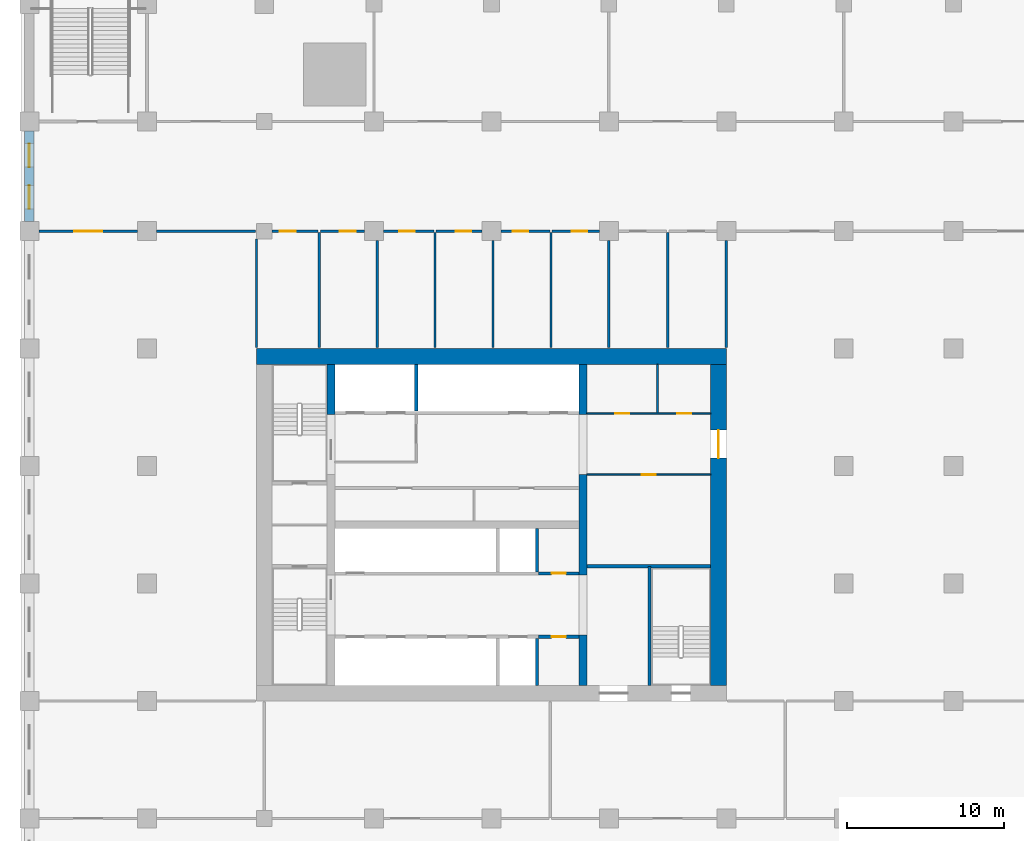
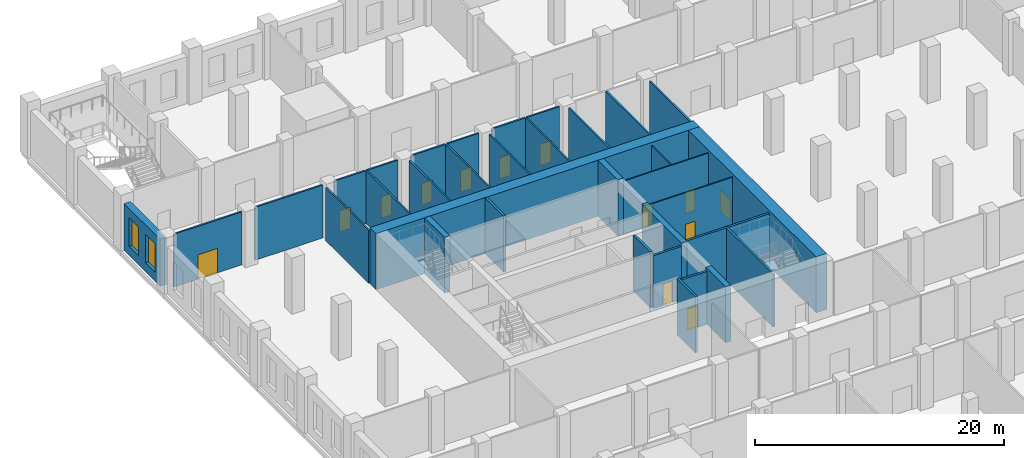
# One storey, part 9 of 35: 34 walls, 13 doors, 2 windows, 15 openings.
"""IFC4 building model written with IfcOpenShell, lengths in metres."""

from ifc_helpers import new_model, si_unit, direction, frame, frame_2d, origin, place, context, subcontext, project, spatial, rectangle, extrude, material, layer, layer_set, type_object, element, fill, save


model = new_model("IFC4")

# Units and contexts
model_context = context("Model", 3, precision=1e-05, world=origin(), true_north=direction((0.0, 1.0)))
body_context = subcontext(model_context, "Body", "Model", "MODEL_VIEW")
ifc_project = project(units=[si_unit("LENGTHUNIT", "METRE"), si_unit("AREAUNIT", "SQUARE_METRE"), si_unit("VOLUMEUNIT", "CUBIC_METRE"), si_unit("PLANEANGLEUNIT", "RADIAN"), si_unit("MASSUNIT", "GRAM", prefix="KILO")], contexts=[model_context])

# Site, building, storey
site_placement = place(None, origin())
site = spatial("IfcSite", under=ifc_project, at=site_placement, CompositionType="ELEMENT")
building_placement = place(site_placement, origin())
building = spatial("IfcBuilding", under=site, at=building_placement, Name="Tamorin Gate", CompositionType="ELEMENT")
storey_placement = place(building_placement, frame((0.0, 0.0, 8.0)))
storey = spatial("IfcBuildingStorey", under=building, at=storey_placement, Name="L01", CompositionType="ELEMENT", Elevation=8.0)

# Walls
ifc_material_1 = material(Name="Concrete C32/40", Category="concrete")
ifc_layer_1 = layer(ifc_material_1, 0.199951171875)
ifc_layer_set_1 = layer_set([ifc_layer_1], Name="Lift shaft wall 200 EI 120")
wall_type_1 = type_object("IfcWallType", Name="Lift shaft wall 200 EI 120", PredefinedType="SOLIDWALL", material=ifc_layer_set_1)
wall_1_placement = place(storey_placement, frame((47.89990234375, 61.0, 0.0), z_axis=(0.0, 0.0, 1.0), x_axis=(0.0, 1.0, 0.0)))
element("IfcWall", 1, at=wall_1_placement, inside=storey, type_object=wall_type_1, Name="Lift shaft wall", PredefinedType="SOLIDWALL", context=body_context, shape_type="SweptSolid", body=[
    extrude(rectangle(XDim=3.0, YDim=0.199951171875, at=frame_2d((1.5, 0.0))), origin(), (0.0, 0.0, 1.0), 5.5),
])
wall_2_placement = place(storey_placement, frame((47.89990234375, 68.25, 0.0), z_axis=(0.0, 0.0, 1.0), x_axis=(0.0, 1.0, 0.0)))
element("IfcWall", 2, at=wall_2_placement, inside=storey, type_object=wall_type_1, Name="Lift shaft wall", PredefinedType="SOLIDWALL", context=body_context, shape_type="SweptSolid", body=[
    extrude(rectangle(XDim=2.75, YDim=0.199951171875, at=frame_2d((1.375, 0.0))), origin(), (0.0, 0.0, 1.0), 5.5),
])
wall_3_placement = place(storey_placement, frame((40.199951171875, 78.5, 0.0), z_axis=(0.0, 0.0, 1.0), x_axis=(0.0, 1.0, 0.0)))
element("IfcWall", 3, at=wall_3_placement, inside=storey, type_object=wall_type_1, Name="Lift shaft wall", PredefinedType="SOLIDWALL", context=body_context, shape_type="SweptSolid", body=[
    extrude(rectangle(XDim=3.0, YDim=0.199951171875, at=frame_2d((1.5, 0.0))), origin(), (0.0, 0.0, 1.0), 5.5),
])

# Wall, opening, door
ifc_material_2 = material(Name="Concrete masonry C20/25", Category="masonry")
ifc_layer_2 = layer(ifc_material_2, 0.14990234375)
ifc_layer_set_2 = layer_set([ifc_layer_2], Name="Partition 150")
wall_type_2 = type_object("IfcWallType", Name="Partition 150", PredefinedType="PARTITIONING", material=ifc_layer_set_2)
wall_4_placement = place(storey_placement, frame((16.10009765625, 90.0, 0.0), z_axis=(0.0, 0.0, 1.0), x_axis=(1.0, 0.0, 0.0)))
wall_4 = element("IfcWall", 4, at=wall_4_placement, inside=storey, type_object=wall_type_2, Name="Partition 150 L01", PredefinedType="PARTITIONING", context=body_context, shape_type="SweptSolid", body=[
    extrude(rectangle(XDim=6.2998046875, YDim=0.14990234375, at=frame_2d((3.14990234375, 0.0))), origin(), (0.0, 0.0, 1.0), 5.199951171875),
])
opening_1_placement = place(wall_4_placement, frame((2.25, 0.0, 0.0)))
opening_1 = element("IfcOpeningElement", 5, at=opening_1_placement, cuts=wall_4, Name="Opening DP3", PredefinedType="OPENING", context=body_context, shape_type="SweptSolid", body=[
    extrude(rectangle(XDim=1.800048828125, YDim=2.39990234375, at=frame_2d((0.89990234375, 1.199951171875))), frame((0.0, 0.0849609375, 0.0), z_axis=(0.0, -1.0, 0.0), x_axis=(1.0, 0.0, 0.0)), (0.0, 0.0, 1.0), 0.169921875),
])
ifc_material_3 = material(Name="Steel and glass", Category="steel")
door_type_1 = type_object("IfcDoorType", Name="Door pair 1800", OperationType="DOUBLE_DOOR_SINGLE_SWING", PredefinedType="DOOR", material=ifc_material_3)
door_1_placement = place(opening_1_placement, origin())
door_1 = element("IfcDoor", 6, at=door_1_placement, inside=storey, type_object=door_type_1, Name="Door pair 1800 L01", OperationType="SINGLE_SWING_LEFT", OverallHeight=2.39990234375, OverallWidth=1.800048828125, PredefinedType="DOOR", context=body_context, shape_type="SweptSolid", body=[
    extrude(rectangle(XDim=1.800048828125, YDim=2.39990234375, at=frame_2d((0.89990234375, 1.199951171875))), frame((0.0, 0.02490234375, 0.0), z_axis=(0.0, -1.0, 0.0), x_axis=(1.0, 0.0, 0.0)), (0.0, 0.0, 1.0), 0.050048828125),
])
fill(opening_1, door_1)

# Wall
wall_5_placement = place(storey_placement, frame((23.60009765625, 90.0, 0.0), z_axis=(0.0, 0.0, 1.0), x_axis=(1.0, 0.0, 0.0)))
element("IfcWall", 7, at=wall_5_placement, inside=storey, type_object=wall_type_2, Name="Partition 150 L01", PredefinedType="PARTITIONING", context=body_context, shape_type="SweptSolid", body=[
    extrude(rectangle(XDim=6.324951171875, YDim=0.14990234375, at=frame_2d((3.16259765625, 0.0))), origin(), (0.0, 0.0, 1.0), 5.199951171875),
])

# Wall, opening, door
wall_6_placement = place(storey_placement, frame((31.0, 90.0, 0.0), z_axis=(0.0, 0.0, 1.0), x_axis=(1.0, 0.0, 0.0)))
wall_6 = element("IfcWall", 8, at=wall_6_placement, inside=storey, type_object=wall_type_2, Name="Partition 150 L01", PredefinedType="PARTITIONING", context=body_context, shape_type="SweptSolid", body=[
    extrude(rectangle(XDim=2.925048828125, YDim=0.14990234375, at=frame_2d((1.46240234375, 0.0))), origin(), (0.0, 0.0, 1.0), 5.199951171875),
])
opening_2_placement = place(wall_6_placement, frame((0.5, 0.0, 0.0)))
opening_2 = element("IfcOpeningElement", 9, at=opening_2_placement, cuts=wall_6, Name="Opening DP2", PredefinedType="OPENING", context=body_context, shape_type="SweptSolid", body=[
    extrude(rectangle(XDim=1.0, YDim=2.10009765625, at=frame_2d((0.5, 1.050048828125))), frame((0.0, 0.0849609375, 0.0), z_axis=(0.0, -1.0, 0.0), x_axis=(1.0, 0.0, 0.0)), (0.0, 0.0, 1.0), 0.169921875),
])
ifc_material_4 = material(Name="Painted steel", Category="steel")
door_type_2 = type_object("IfcDoorType", Name="Door single 1000", OperationType="SINGLE_SWING_LEFT", PredefinedType="DOOR", material=ifc_material_4)
door_2_placement = place(opening_2_placement, origin())
door_2 = element("IfcDoor", 10, at=door_2_placement, inside=storey, type_object=door_type_2, Name="Door single 1000 L01", OperationType="SINGLE_SWING_LEFT", OverallHeight=2.10009765625, OverallWidth=1.0, PredefinedType="DOOR", context=body_context, shape_type="SweptSolid", body=[
    extrude(rectangle(XDim=1.0, YDim=2.10009765625, at=frame_2d((0.5, 1.050048828125))), frame((0.0, 0.02490234375, 0.0), z_axis=(0.0, -1.0, 0.0), x_axis=(1.0, 0.0, 0.0)), (0.0, 0.0, 1.0), 0.050048828125),
])
fill(opening_2, door_2)

wall_7_placement = place(storey_placement, frame((34.074951171875, 90.0, 0.0), z_axis=(0.0, 0.0, 1.0), x_axis=(1.0, 0.0, 0.0)))
wall_7 = element("IfcWall", 11, at=wall_7_placement, inside=storey, type_object=wall_type_2, Name="Partition 150 L01", PredefinedType="PARTITIONING", context=body_context, shape_type="SweptSolid", body=[
    extrude(rectangle(XDim=2.824951171875, YDim=0.14990234375, at=frame_2d((1.41259765625, 0.0))), origin(), (0.0, 0.0, 1.0), 5.199951171875),
])
opening_3_placement = place(wall_7_placement, frame((1.25, 0.0, 0.0)))
opening_3 = element("IfcOpeningElement", 12, at=opening_3_placement, cuts=wall_7, Name="Opening DP2", PredefinedType="OPENING", context=body_context, shape_type="SweptSolid", body=[
    extrude(rectangle(XDim=1.0, YDim=2.10009765625, at=frame_2d((0.5, 1.050048828125))), frame((0.0, 0.0849609375, 0.0), z_axis=(0.0, -1.0, 0.0), x_axis=(1.0, 0.0, 0.0)), (0.0, 0.0, 1.0), 0.169921875),
])
door_3_placement = place(opening_3_placement, origin())
door_3 = element("IfcDoor", 13, at=door_3_placement, inside=storey, type_object=door_type_2, Name="Door single 1000 L01", OperationType="SINGLE_SWING_LEFT", OverallHeight=2.10009765625, OverallWidth=1.0, PredefinedType="DOOR", context=body_context, shape_type="SweptSolid", body=[
    extrude(rectangle(XDim=1.0, YDim=2.10009765625, at=frame_2d((0.5, 1.050048828125))), frame((0.0, 0.02490234375, 0.0), z_axis=(0.0, -1.0, 0.0), x_axis=(1.0, 0.0, 0.0)), (0.0, 0.0, 1.0), 0.050048828125),
])
fill(opening_3, door_3)

wall_8_placement = place(storey_placement, frame((38.10009765625, 90.0, 0.0), z_axis=(0.0, 0.0, 1.0), x_axis=(1.0, 0.0, 0.0)))
wall_8 = element("IfcWall", 14, at=wall_8_placement, inside=storey, type_object=wall_type_2, Name="Partition 150 L01", PredefinedType="PARTITIONING", context=body_context, shape_type="SweptSolid", body=[
    extrude(rectangle(XDim=3.224853515625, YDim=0.14990234375, at=frame_2d((1.6123046875, 0.0))), origin(), (0.0, 0.0, 1.0), 5.199951171875),
])
opening_4_placement = place(wall_8_placement, frame((1.0, 0.0, 0.0)))
opening_4 = element("IfcOpeningElement", 15, at=opening_4_placement, cuts=wall_8, Name="Opening DP2", PredefinedType="OPENING", context=body_context, shape_type="SweptSolid", body=[
    extrude(rectangle(XDim=1.0, YDim=2.10009765625, at=frame_2d((0.5, 1.050048828125))), frame((0.0, 0.0849609375, 0.0), z_axis=(0.0, -1.0, 0.0), x_axis=(1.0, 0.0, 0.0)), (0.0, 0.0, 1.0), 0.169921875),
])
door_4_placement = place(opening_4_placement, origin())
door_4 = element("IfcDoor", 16, at=door_4_placement, inside=storey, type_object=door_type_2, Name="Door single 1000 L01", OperationType="SINGLE_SWING_LEFT", OverallHeight=2.10009765625, OverallWidth=1.0, PredefinedType="DOOR", context=body_context, shape_type="SweptSolid", body=[
    extrude(rectangle(XDim=1.0, YDim=2.10009765625, at=frame_2d((0.5, 1.050048828125))), frame((0.0, 0.02490234375, 0.0), z_axis=(0.0, -1.0, 0.0), x_axis=(1.0, 0.0, 0.0)), (0.0, 0.0, 1.0), 0.050048828125),
])
fill(opening_4, door_4)

wall_9_placement = place(storey_placement, frame((41.47509765625, 90.0, 0.0), z_axis=(0.0, 0.0, 1.0), x_axis=(1.0, 0.0, 0.0)))
wall_9 = element("IfcWall", 17, at=wall_9_placement, inside=storey, type_object=wall_type_2, Name="Partition 150 L01", PredefinedType="PARTITIONING", context=body_context, shape_type="SweptSolid", body=[
    extrude(rectangle(XDim=2.9248046875, YDim=0.14990234375, at=frame_2d((1.46240234375, 0.0))), origin(), (0.0, 0.0, 1.0), 5.199951171875),
])
opening_5_placement = place(wall_9_placement, frame((1.25, 0.0, 0.0)))
opening_5 = element("IfcOpeningElement", 18, at=opening_5_placement, cuts=wall_9, Name="Opening DP2", PredefinedType="OPENING", context=body_context, shape_type="SweptSolid", body=[
    extrude(rectangle(XDim=1.0, YDim=2.10009765625, at=frame_2d((0.5, 1.050048828125))), frame((0.0, 0.0849609375, 0.0), z_axis=(0.0, -1.0, 0.0), x_axis=(1.0, 0.0, 0.0)), (0.0, 0.0, 1.0), 0.169921875),
])
door_5_placement = place(opening_5_placement, origin())
door_5 = element("IfcDoor", 19, at=door_5_placement, inside=storey, type_object=door_type_2, Name="Door single 1000 L01", OperationType="SINGLE_SWING_LEFT", OverallHeight=2.10009765625, OverallWidth=1.0, PredefinedType="DOOR", context=body_context, shape_type="SweptSolid", body=[
    extrude(rectangle(XDim=1.0, YDim=2.10009765625, at=frame_2d((0.5, 1.050048828125))), frame((0.0, 0.02490234375, 0.0), z_axis=(0.0, -1.0, 0.0), x_axis=(1.0, 0.0, 0.0)), (0.0, 0.0, 1.0), 0.050048828125),
])
fill(opening_5, door_5)

wall_10_placement = place(storey_placement, frame((45.60009765625, 90.0, 0.0), z_axis=(0.0, 0.0, 1.0), x_axis=(1.0, 0.0, 0.0)))
wall_10 = element("IfcWall", 20, at=wall_10_placement, inside=storey, type_object=wall_type_2, Name="Partition 150 L01", PredefinedType="PARTITIONING", context=body_context, shape_type="SweptSolid", body=[
    extrude(rectangle(XDim=3.125, YDim=0.14990234375, at=frame_2d((1.5625, 0.0))), origin(), (0.0, 0.0, 1.0), 5.199951171875),
])
opening_6_placement = place(wall_10_placement, frame((0.75, 0.0, 0.0)))
opening_6 = element("IfcOpeningElement", 21, at=opening_6_placement, cuts=wall_10, Name="Opening DP2", PredefinedType="OPENING", context=body_context, shape_type="SweptSolid", body=[
    extrude(rectangle(XDim=1.0, YDim=2.10009765625, at=frame_2d((0.5, 1.050048828125))), frame((0.0, 0.0849609375, 0.0), z_axis=(0.0, -1.0, 0.0), x_axis=(1.0, 0.0, 0.0)), (0.0, 0.0, 1.0), 0.169921875),
])
door_6_placement = place(opening_6_placement, origin())
door_6 = element("IfcDoor", 22, at=door_6_placement, inside=storey, type_object=door_type_2, Name="Door single 1000 L01", OperationType="SINGLE_SWING_LEFT", OverallHeight=2.10009765625, OverallWidth=1.0, PredefinedType="DOOR", context=body_context, shape_type="SweptSolid", body=[
    extrude(rectangle(XDim=1.0, YDim=2.10009765625, at=frame_2d((0.5, 1.050048828125))), frame((0.0, 0.02490234375, 0.0), z_axis=(0.0, -1.0, 0.0), x_axis=(1.0, 0.0, 0.0)), (0.0, 0.0, 1.0), 0.050048828125),
])
fill(opening_6, door_6)

wall_11_placement = place(storey_placement, frame((48.875, 90.0, 0.0), z_axis=(0.0, 0.0, 1.0), x_axis=(1.0, 0.0, 0.0)))
wall_11 = element("IfcWall", 23, at=wall_11_placement, inside=storey, type_object=wall_type_2, Name="Partition 150 L01", PredefinedType="PARTITIONING", context=body_context, shape_type="SweptSolid", body=[
    extrude(rectangle(XDim=3.02490234375, YDim=0.14990234375, at=frame_2d((1.512451171875, 0.0))), origin(), (0.0, 0.0, 1.0), 5.199951171875),
])
opening_7_placement = place(wall_11_placement, frame((1.25, 0.0, 0.0)))
opening_7 = element("IfcOpeningElement", 24, at=opening_7_placement, cuts=wall_11, Name="Opening DP2", PredefinedType="OPENING", context=body_context, shape_type="SweptSolid", body=[
    extrude(rectangle(XDim=1.0, YDim=2.10009765625, at=frame_2d((0.5, 1.050048828125))), frame((0.0, 0.0849609375, 0.0), z_axis=(0.0, -1.0, 0.0), x_axis=(1.0, 0.0, 0.0)), (0.0, 0.0, 1.0), 0.169921875),
])
door_7_placement = place(opening_7_placement, origin())
door_7 = element("IfcDoor", 25, at=door_7_placement, inside=storey, type_object=door_type_2, Name="Door single 1000 L01", OperationType="SINGLE_SWING_LEFT", OverallHeight=2.10009765625, OverallWidth=1.0, PredefinedType="DOOR", context=body_context, shape_type="SweptSolid", body=[
    extrude(rectangle(XDim=1.0, YDim=2.10009765625, at=frame_2d((0.5, 1.050048828125))), frame((0.0, 0.02490234375, 0.0), z_axis=(0.0, -1.0, 0.0), x_axis=(1.0, 0.0, 0.0)), (0.0, 0.0, 1.0), 0.050048828125),
])
fill(opening_7, door_7)

# Walls
wall_12_placement = place(storey_placement, frame((34.0, 82.574951171875, 0.0), z_axis=(0.0, 0.0, 1.0), x_axis=(0.0, 1.0, 0.0)))
element("IfcWall", 26, at=wall_12_placement, inside=storey, type_object=wall_type_2, Name="Partition 150 L01", PredefinedType="PARTITIONING", context=body_context, shape_type="SweptSolid", body=[
    extrude(rectangle(XDim=7.35009765625, YDim=0.14990234375, at=frame_2d((3.675048828125, 0.0))), origin(), (0.0, 0.0, 1.0), 5.199951171875),
])
wall_13_placement = place(storey_placement, frame((52.5, 82.574951171875, 0.0), z_axis=(0.0, 0.0, 1.0), x_axis=(0.0, 1.0, 0.0)))
element("IfcWall", 27, at=wall_13_placement, inside=storey, type_object=wall_type_2, Name="Partition 150 L01", PredefinedType="PARTITIONING", context=body_context, shape_type="SweptSolid", body=[
    extrude(rectangle(XDim=6.824951171875, YDim=0.14990234375, at=frame_2d((3.41259765625, 0.0))), origin(), (0.0, 0.0, 1.0), 5.199951171875),
])
wall_14_placement = place(storey_placement, frame((30.0, 82.574951171875, 0.0), z_axis=(0.0, 0.0, 1.0), x_axis=(0.0, 1.0, 0.0)))
element("IfcWall", 28, at=wall_14_placement, inside=storey, type_object=wall_type_2, Name="Partition 150 L01", PredefinedType="PARTITIONING", context=body_context, shape_type="SweptSolid", body=[
    extrude(rectangle(XDim=6.925048828125, YDim=0.14990234375, at=frame_2d((3.46240234375, 0.0))), origin(), (0.0, 0.0, 1.0), 5.199951171875),
])
wall_15_placement = place(storey_placement, frame((37.699951171875, 82.574951171875, 0.0), z_axis=(0.0, 0.0, 1.0), x_axis=(0.0, 1.0, 0.0)))
element("IfcWall", 29, at=wall_15_placement, inside=storey, type_object=wall_type_2, Name="Partition 150 L01", PredefinedType="PARTITIONING", context=body_context, shape_type="SweptSolid", body=[
    extrude(rectangle(XDim=6.824951171875, YDim=0.14990234375, at=frame_2d((3.41259765625, 0.0))), origin(), (0.0, 0.0, 1.0), 5.199951171875),
])
wall_16_placement = place(storey_placement, frame((41.39990234375, 82.574951171875, 0.0), z_axis=(0.0, 0.0, 1.0), x_axis=(0.0, 1.0, 0.0)))
element("IfcWall", 30, at=wall_16_placement, inside=storey, type_object=wall_type_2, Name="Partition 150 L01", PredefinedType="PARTITIONING", context=body_context, shape_type="SweptSolid", body=[
    extrude(rectangle(XDim=7.35009765625, YDim=0.14990234375, at=frame_2d((3.675048828125, 0.0))), origin(), (0.0, 0.0, 1.0), 5.199951171875),
])
wall_17_placement = place(storey_placement, frame((45.10009765625, 82.574951171875, 0.0), z_axis=(0.0, 0.0, 1.0), x_axis=(0.0, 1.0, 0.0)))
element("IfcWall", 31, at=wall_17_placement, inside=storey, type_object=wall_type_2, Name="Partition 150 L01", PredefinedType="PARTITIONING", context=body_context, shape_type="SweptSolid", body=[
    extrude(rectangle(XDim=6.824951171875, YDim=0.14990234375, at=frame_2d((3.41259765625, 0.0))), origin(), (0.0, 0.0, 1.0), 5.199951171875),
])
for number, where, z_axis, x_axis, name in (
    (32, (48.800048828125, 82.574951171875, 0.0), (0.0, 0.0, 1.0), (0.0, 1.0, 0.0), "Partition 150 L01"),
    (33, (56.25, 82.574951171875, 0.0), (0.0, 0.0, 1.0), (0.0, 1.0, 0.0), "Partition 150 L01"),
):
    element("IfcWall", number, at=place(storey_placement, frame(where, z_axis=z_axis, x_axis=x_axis)), inside=storey, type_object=wall_type_2, Name=name, PredefinedType="PARTITIONING", context=body_context, shape_type="SweptSolid", body=[
        extrude(rectangle(XDim=7.35009765625, YDim=0.14990234375, at=frame_2d((3.675048828125, 0.0))), origin(), (0.0, 0.0, 1.0), 5.199951171875),
    ])
wall_18_placement = place(storey_placement, frame((60.0, 82.574951171875, 0.0), z_axis=(0.0, 0.0, 1.0), x_axis=(0.0, 1.0, 0.0)))
element("IfcWall", 34, at=wall_18_placement, inside=storey, type_object=wall_type_2, Name="Partition 150 L01", PredefinedType="PARTITIONING", context=body_context, shape_type="SweptSolid", body=[
    extrude(rectangle(XDim=6.824951171875, YDim=0.14990234375, at=frame_2d((3.41259765625, 0.0))), origin(), (0.0, 0.0, 1.0), 5.199951171875),
])

# Wall, openings, windows
ifc_material_5 = material(Name="Precast concrete C40/50", Category="concrete")
ifc_layer_3 = layer(ifc_material_5, 0.60009765625)
ifc_layer_set_3 = layer_set([ifc_layer_3], Name="Precast concrete C40/50")
wall_type_3 = type_object("IfcWallType", Name="Precast plinth wall 600", PredefinedType="PARTITIONING", material=ifc_layer_set_3)
wall_19_placement = place(storey_placement, frame((15.5, 90.60009765625, 0.0), z_axis=(0.0, 0.0, 1.0), x_axis=(0.0, 1.0, 0.0)))
wall_19 = element("IfcWall", 35, at=wall_19_placement, inside=storey, type_object=wall_type_3, Name="Precast plinth wall 600 L01", PredefinedType="PARTITIONING", context=body_context, shape_type="SweptSolid", body=[
    extrude(rectangle(XDim=5.7998046875, YDim=0.60009765625, at=frame_2d((2.89990234375, 0.0))), origin(), (0.0, 0.0, 1.0), 4.60009765625),
])
opening_8_placement = place(wall_19_placement, frame((0.81591796875, 0.0, 0.89990234375)))
opening_8 = element("IfcOpeningElement", 36, at=opening_8_placement, cuts=wall_19, Name="Opening PWN5", PredefinedType="OPENING", context=body_context, shape_type="SweptSolid", body=[
    extrude(rectangle(XDim=1.5, YDim=2.800048828125, at=frame_2d((0.75, 1.39990234375))), frame((0.0, 0.31005859375, 0.0), z_axis=(0.0, -1.0, 0.0), x_axis=(1.0, 0.0, 0.0)), (0.0, 0.0, 1.0), 0.6201171875),
])
opening_9_placement = place(wall_19_placement, frame((3.48388671875, 0.0, 0.89990234375)))
opening_9 = element("IfcOpeningElement", 37, at=opening_9_placement, cuts=wall_19, Name="Opening PWN5", PredefinedType="OPENING", context=body_context, shape_type="SweptSolid", body=[
    extrude(rectangle(XDim=1.5, YDim=2.800048828125, at=frame_2d((0.75, 1.39990234375))), frame((0.0, 0.31005859375, 0.0), z_axis=(0.0, -1.0, 0.0), x_axis=(1.0, 0.0, 0.0)), (0.0, 0.0, 1.0), 0.6201171875),
])
ifc_material_6 = material(Name="Aluminium and glass", Category="aluminium")
window_type = type_object("IfcWindowType", Name="Plinth window 1500x2800", PartitioningType="DOUBLE_PANEL_VERTICAL", PredefinedType="WINDOW", material=ifc_material_6)
window_1_placement = place(opening_8_placement, origin())
window_1 = element("IfcWindow", 38, at=window_1_placement, inside=storey, type_object=window_type, Name="Plinth window 1500x2800", OverallHeight=2.800048828125, OverallWidth=1.5, PartitioningType="SINGLE_PANEL", PredefinedType="WINDOW", context=body_context, shape_type="SweptSolid", body=[
    extrude(rectangle(XDim=1.5, YDim=2.800048828125, at=frame_2d((0.75, 1.39990234375))), frame((0.0, 0.030029296875, 0.0), z_axis=(0.0, -1.0, 0.0), x_axis=(1.0, 0.0, 0.0)), (0.0, 0.0, 1.0), 0.06005859375),
])
fill(opening_8, window_1)
window_2_placement = place(opening_9_placement, origin())
window_2 = element("IfcWindow", 39, at=window_2_placement, inside=storey, type_object=window_type, Name="Plinth window 1500x2800", OverallHeight=2.800048828125, OverallWidth=1.5, PartitioningType="SINGLE_PANEL", PredefinedType="WINDOW", context=body_context, shape_type="SweptSolid", body=[
    extrude(rectangle(XDim=1.5, YDim=2.800048828125, at=frame_2d((0.75, 1.39990234375))), frame((0.0, 0.030029296875, 0.0), z_axis=(0.0, -1.0, 0.0), x_axis=(1.0, 0.0, 0.0)), (0.0, 0.0, 1.0), 0.06005859375),
])
fill(opening_9, window_2)

# Walls
ifc_material_7 = material(Name="Concrete C80/95", Category="concrete")
ifc_layer_4 = layer(ifc_material_7, 0.5)
ifc_layer_set_4 = layer_set([ifc_layer_4], Name="RC core internal wall 500 C80/95")
wall_type_4 = type_object("IfcWallType", Name="RC core internal wall 500 C80/95", PredefinedType="SHEAR", material=ifc_layer_set_4)
for number, where, z_axis, x_axis, name in (
    (40, (34.75, 78.300048828125, 0.0), (0.0, 0.0, 1.0), (0.0, 1.0, 0.0), "Core cross wall L01"),
    (41, (50.85009765625, 61.0, 0.0), (0.0, 0.0, 1.0), (0.0, 1.0, 0.0), "Core cross wall L01"),
):
    element("IfcWall", number, at=place(storey_placement, frame(where, z_axis=z_axis, x_axis=x_axis)), inside=storey, type_object=wall_type_4, Name=name, PredefinedType="SHEAR", context=body_context, shape_type="SweptSolid", body=[
        extrude(rectangle(XDim=3.199951171875, YDim=0.5, at=frame_2d((1.60009765625, 0.0))), origin(), (0.0, 0.0, 1.0), 5.5),
    ])
wall_20_placement = place(storey_placement, frame((50.85009765625, 68.050048828125, 0.0), z_axis=(0.0, 0.0, 1.0), x_axis=(0.0, 1.0, 0.0)))
element("IfcWall", 42, at=wall_20_placement, inside=storey, type_object=wall_type_4, Name="Core cross wall L01", PredefinedType="SHEAR", context=body_context, shape_type="SweptSolid", body=[
    extrude(rectangle(XDim=6.39990234375, YDim=0.5, at=frame_2d((3.199951171875, 0.0))), origin(), (0.0, 0.0, 1.0), 5.5),
])
wall_21_placement = place(storey_placement, frame((50.85009765625, 78.300048828125, 0.0), z_axis=(0.0, 0.0, 1.0), x_axis=(0.0, 1.0, 0.0)))
element("IfcWall", 43, at=wall_21_placement, inside=storey, type_object=wall_type_4, Name="Core cross wall L01", PredefinedType="SHEAR", context=body_context, shape_type="SweptSolid", body=[
    extrude(rectangle(XDim=3.199951171875, YDim=0.5, at=frame_2d((1.60009765625, 0.0))), origin(), (0.0, 0.0, 1.0), 5.5),
])
ifc_layer_5 = layer(ifc_material_7, 1.0)
ifc_layer_set_5 = layer_set([ifc_layer_5], Name="RC core wall 1000 C80/95")
wall_type_5 = type_object("IfcWallType", Name="RC core wall 1000 C80/95", PredefinedType="SHEAR", material=ifc_layer_set_5)
wall_22_placement = place(storey_placement, frame((30.0, 82.0, 0.0), z_axis=(0.0, 0.0, 1.0), x_axis=(1.0, 0.0, 0.0)))
element("IfcWall", 44, at=wall_22_placement, inside=storey, type_object=wall_type_5, Name="Core wall L01", PredefinedType="SHEAR", context=body_context, shape_type="SweptSolid", body=[
    extrude(rectangle(XDim=30.0, YDim=1.0, at=frame_2d((15.0, 0.0))), origin(), (0.0, 0.0, 1.0), 5.5),
])

# Wall, opening, door
wall_23_placement = place(storey_placement, frame((59.5, 61.0, 0.0), z_axis=(0.0, 0.0, 1.0), x_axis=(0.0, 1.0, 0.0)))
wall_23 = element("IfcWall", 45, at=wall_23_placement, inside=storey, type_object=wall_type_5, Name="Core wall L01", PredefinedType="SHEAR", context=body_context, shape_type="SweptSolid", body=[
    extrude(rectangle(XDim=20.5, YDim=1.0, at=frame_2d((10.25, 0.0))), origin(), (0.0, 0.0, 1.0), 5.5),
])
opening_10_placement = place(wall_23_placement, frame((14.5, 0.0, 0.0)))
opening_10 = element("IfcOpeningElement", 46, at=opening_10_placement, cuts=wall_23, Name="Opening DE1", PredefinedType="OPENING", context=body_context, shape_type="SweptSolid", body=[
    extrude(rectangle(XDim=1.800048828125, YDim=2.10009765625, at=frame_2d((0.89990234375, 1.050048828125))), frame((0.0, 0.510009765625, 0.0), z_axis=(0.0, -1.0, 0.0), x_axis=(1.0, 0.0, 0.0)), (0.0, 0.0, 1.0), 1.02001953125),
])
ifc_material_8 = material(Name="Steel fire door", Category="steel")
door_type_3 = type_object("IfcDoorType", Name="Lobby exit double door 1800 x 2100 EI 60", OperationType="DOUBLE_DOOR_SINGLE_SWING", PredefinedType="DOOR", material=ifc_material_8)
door_8_placement = place(opening_10_placement, origin())
door_8 = element("IfcDoor", 47, at=door_8_placement, inside=storey, type_object=door_type_3, Name="Lift lobby B exit door", OperationType="DOUBLE_DOOR_SINGLE_SWING", OverallHeight=2.10009765625, OverallWidth=1.800048828125, PredefinedType="DOOR", context=body_context, shape_type="SweptSolid", body=[
    extrude(rectangle(XDim=1.800048828125, YDim=2.10009765625, at=frame_2d((0.89990234375, 1.050048828125))), frame((0.0, 0.02490234375, 0.0), z_axis=(0.0, -1.0, 0.0), x_axis=(1.0, 0.0, 0.0)), (0.0, 0.0, 1.0), 0.050048828125),
])
fill(opening_10, door_8)

ifc_material_9 = material(Name="Gypsum board partition")
ifc_layer_6 = layer(ifc_material_9, 0.199951171875)
ifc_layer_set_6 = layer_set([ifc_layer_6], Name="Service room face wall 200 EI 60")
wall_type_6 = type_object("IfcWallType", Name="Service room face wall 200 EI 60", PredefinedType="PARTITIONING", material=ifc_layer_set_6)
wall_24_placement = place(storey_placement, frame((48.0, 64.10009765625, 0.0), z_axis=(0.0, 0.0, 1.0), x_axis=(1.0, 0.0, 0.0)))
wall_24 = element("IfcWall", 48, at=wall_24_placement, inside=storey, type_object=wall_type_6, Name="Service room face wall", PredefinedType="PARTITIONING", context=body_context, shape_type="SweptSolid", body=[
    extrude(rectangle(XDim=2.60009765625, YDim=0.199951171875, at=frame_2d((1.300048828125, 0.0))), origin(), (0.0, 0.0, 1.0), 5.199951171875),
])
opening_11_placement = place(wall_24_placement, frame((0.85009765625, 0.0, 0.0)))
opening_11 = element("IfcOpeningElement", 49, at=opening_11_placement, cuts=wall_24, Name="Opening DK1", PredefinedType="OPENING", context=body_context, shape_type="SweptSolid", body=[
    extrude(rectangle(XDim=0.89990234375, YDim=2.10009765625, at=frame_2d((0.449951171875, 1.050048828125))), frame((0.0, 0.10986328125, 0.0), z_axis=(0.0, -1.0, 0.0), x_axis=(1.0, 0.0, 0.0)), (0.0, 0.0, 1.0), 0.219970703125),
])
ifc_material_10 = material(Name="Timber fire door", Category="wood")
door_type_4 = type_object("IfcDoorType", Name="Service room door 900 x 2100 EI 60", OperationType="SINGLE_SWING_LEFT", PredefinedType="DOOR", material=ifc_material_10)
door_9_placement = place(opening_11_placement, origin())
door_9 = element("IfcDoor", 50, at=door_9_placement, inside=storey, type_object=door_type_4, Name="Door Electrical room", OperationType="SINGLE_SWING_LEFT", OverallHeight=2.10009765625, OverallWidth=0.89990234375, PredefinedType="DOOR", context=body_context, shape_type="SweptSolid", body=[
    extrude(rectangle(XDim=0.89990234375, YDim=2.10009765625, at=frame_2d((0.449951171875, 1.050048828125))), frame((0.0, 0.02490234375, 0.0), z_axis=(0.0, -1.0, 0.0), x_axis=(1.0, 0.0, 0.0)), (0.0, 0.0, 1.0), 0.050048828125),
])
fill(opening_11, door_9)

wall_25_placement = place(storey_placement, frame((48.0, 68.14990234375, 0.0), z_axis=(0.0, 0.0, 1.0), x_axis=(1.0, 0.0, 0.0)))
wall_25 = element("IfcWall", 51, at=wall_25_placement, inside=storey, type_object=wall_type_6, Name="Service room face wall", PredefinedType="PARTITIONING", context=body_context, shape_type="SweptSolid", body=[
    extrude(rectangle(XDim=2.60009765625, YDim=0.199951171875, at=frame_2d((1.300048828125, 0.0))), origin(), (0.0, 0.0, 1.0), 5.199951171875),
])
opening_12_placement = place(wall_25_placement, frame((0.85009765625, 0.0, 0.0)))
opening_12 = element("IfcOpeningElement", 52, at=opening_12_placement, cuts=wall_25, Name="Opening DK1", PredefinedType="OPENING", context=body_context, shape_type="SweptSolid", body=[
    extrude(rectangle(XDim=0.89990234375, YDim=2.10009765625, at=frame_2d((0.449951171875, 1.050048828125))), frame((0.0, 0.10986328125, 0.0), z_axis=(0.0, -1.0, 0.0), x_axis=(1.0, 0.0, 0.0)), (0.0, 0.0, 1.0), 0.219970703125),
])
door_10_placement = place(opening_12_placement, origin())
door_10 = element("IfcDoor", 53, at=door_10_placement, inside=storey, type_object=door_type_4, Name="Door Cable riser store", OperationType="SINGLE_SWING_LEFT", OverallHeight=2.10009765625, OverallWidth=0.89990234375, PredefinedType="DOOR", context=body_context, shape_type="SweptSolid", body=[
    extrude(rectangle(XDim=0.89990234375, YDim=2.10009765625, at=frame_2d((0.449951171875, 1.050048828125))), frame((0.0, 0.02490234375, 0.0), z_axis=(0.0, -1.0, 0.0), x_axis=(1.0, 0.0, 0.0)), (0.0, 0.0, 1.0), 0.050048828125),
])
fill(opening_12, door_10)

ifc_layer_7 = layer(ifc_material_9, 0.10009765625)
ifc_layer_set_7 = layer_set([ifc_layer_7], Name="Service room partition 100 EI 60")
wall_type_7 = type_object("IfcWallType", Name="Service room partition 100 EI 60", PredefinedType="PARTITIONING", material=ifc_layer_set_7)
wall_26_placement = place(storey_placement, frame((51.10009765625, 74.449951171875, 0.0), z_axis=(0.0, 0.0, 1.0), x_axis=(1.0, 0.0, 0.0)))
wall_26 = element("IfcWall", 54, at=wall_26_placement, inside=storey, type_object=wall_type_7, Name="Service room wall", PredefinedType="PARTITIONING", context=body_context, shape_type="SweptSolid", body=[
    extrude(rectangle(XDim=7.89990234375, YDim=0.10009765625, at=frame_2d((3.949951171875, 0.0))), origin(), (0.0, 0.0, 1.0), 5.199951171875),
])
opening_13_placement = place(wall_26_placement, frame((3.5, 0.0, 0.0)))
opening_13 = element("IfcOpeningElement", 55, at=opening_13_placement, cuts=wall_26, Name="Opening DR1", PredefinedType="OPENING", context=body_context, shape_type="SweptSolid", body=[
    extrude(rectangle(XDim=0.89990234375, YDim=2.10009765625, at=frame_2d((0.449951171875, 1.050048828125))), frame((0.0, 0.06005859375, 0.0), z_axis=(0.0, -1.0, 0.0), x_axis=(1.0, 0.0, 0.0)), (0.0, 0.0, 1.0), 0.1201171875),
])
door_type_5 = type_object("IfcDoorType", Name="Riser access door 900 x 2100 EI 120", OperationType="SINGLE_SWING_LEFT", PredefinedType="DOOR", material=ifc_material_8)
door_11_placement = place(opening_13_placement, origin())
door_11 = element("IfcDoor", 56, at=door_11_placement, inside=storey, type_object=door_type_5, Name="Duct riser door", OperationType="SINGLE_SWING_LEFT", OverallHeight=2.10009765625, OverallWidth=0.89990234375, PredefinedType="DOOR", context=body_context, shape_type="SweptSolid", body=[
    extrude(rectangle(XDim=0.89990234375, YDim=2.10009765625, at=frame_2d((0.449951171875, 1.050048828125))), frame((0.0, 0.02490234375, 0.0), z_axis=(0.0, -1.0, 0.0), x_axis=(1.0, 0.0, 0.0)), (0.0, 0.0, 1.0), 0.050048828125),
])
fill(opening_13, door_11)

# Wall, openings, doors
wall_27_placement = place(storey_placement, frame((51.10009765625, 78.35009765625, 0.0), z_axis=(0.0, 0.0, 1.0), x_axis=(1.0, 0.0, 0.0)))
wall_27 = element("IfcWall", 57, at=wall_27_placement, inside=storey, type_object=wall_type_7, Name="Service room wall", PredefinedType="PARTITIONING", context=body_context, shape_type="SweptSolid", body=[
    extrude(rectangle(XDim=7.89990234375, YDim=0.10009765625, at=frame_2d((3.949951171875, 0.0))), origin(), (0.0, 0.0, 1.0), 5.199951171875),
])
opening_14_placement = place(wall_27_placement, frame((1.800048828125, 0.0, 0.0)))
opening_14 = element("IfcOpeningElement", 58, at=opening_14_placement, cuts=wall_27, Name="Opening DK1", PredefinedType="OPENING", context=body_context, shape_type="SweptSolid", body=[
    extrude(rectangle(XDim=0.89990234375, YDim=2.10009765625, at=frame_2d((0.449951171875, 1.050048828125))), frame((0.0, 0.06005859375, 0.0), z_axis=(0.0, -1.0, 0.0), x_axis=(1.0, 0.0, 0.0)), (0.0, 0.0, 1.0), 0.1201171875),
])
opening_15_placement = place(wall_27_placement, frame((5.75, 0.0, 0.0)))
opening_15 = element("IfcOpeningElement", 59, at=opening_15_placement, cuts=wall_27, Name="Opening DK1", PredefinedType="OPENING", context=body_context, shape_type="SweptSolid", body=[
    extrude(rectangle(XDim=0.89990234375, YDim=2.10009765625, at=frame_2d((0.449951171875, 1.050048828125))), frame((0.0, 0.06005859375, 0.0), z_axis=(0.0, -1.0, 0.0), x_axis=(1.0, 0.0, 0.0)), (0.0, 0.0, 1.0), 0.1201171875),
])
door_12_placement = place(opening_14_placement, origin())
door_12 = element("IfcDoor", 60, at=door_12_placement, inside=storey, type_object=door_type_4, Name="Door Security store", OperationType="SINGLE_SWING_LEFT", OverallHeight=2.10009765625, OverallWidth=0.89990234375, PredefinedType="DOOR", context=body_context, shape_type="SweptSolid", body=[
    extrude(rectangle(XDim=0.89990234375, YDim=2.10009765625, at=frame_2d((0.449951171875, 1.050048828125))), frame((0.0, 0.02490234375, 0.0), z_axis=(0.0, -1.0, 0.0), x_axis=(1.0, 0.0, 0.0)), (0.0, 0.0, 1.0), 0.050048828125),
])
fill(opening_14, door_12)
door_13_placement = place(opening_15_placement, origin())
door_13 = element("IfcDoor", 61, at=door_13_placement, inside=storey, type_object=door_type_4, Name="Door Electrical room", OperationType="SINGLE_SWING_RIGHT", OverallHeight=2.10009765625, OverallWidth=0.89990234375, PredefinedType="DOOR", context=body_context, shape_type="SweptSolid", body=[
    extrude(rectangle(XDim=0.89990234375, YDim=2.10009765625, at=frame_2d((0.449951171875, 1.050048828125))), frame((0.0, 0.02490234375, 0.0), z_axis=(0.0, -1.0, 0.0), x_axis=(1.0, 0.0, 0.0)), (0.0, 0.0, 1.0), 0.050048828125),
])
fill(opening_15, door_13)

# Walls
wall_28_placement = place(storey_placement, frame((55.60009765625, 78.39990234375, 0.0), z_axis=(0.0, 0.0, 1.0), x_axis=(0.0, 1.0, 0.0)))
element("IfcWall", 62, at=wall_28_placement, inside=storey, type_object=wall_type_7, Name="Service room partition", PredefinedType="PARTITIONING", context=body_context, shape_type="SweptSolid", body=[
    extrude(rectangle(XDim=3.10009765625, YDim=0.10009765625, at=frame_2d((1.550048828125, 0.0))), origin(), (0.0, 0.0, 1.0), 5.199951171875),
])
ifc_material_11 = material(Name="Concrete C40/50", Category="concrete")
ifc_layer_8 = layer(ifc_material_11, 0.199951171875)
ifc_layer_set_8 = layer_set([ifc_layer_8], Name="Stair enclosure wall 200 EI 120 C40/50")
wall_type_8 = type_object("IfcWallType", Name="Stair enclosure wall 200 EI 120 C40/50", PredefinedType="SOLIDWALL", material=ifc_layer_set_8)
wall_29_placement = place(storey_placement, frame((55.10009765625, 61.0, 0.0), z_axis=(0.0, 0.0, 1.0), x_axis=(0.0, 1.0, 0.0)))
element("IfcWall", 63, at=wall_29_placement, inside=storey, type_object=wall_type_8, Name="Stair enclosure wall", PredefinedType="SOLIDWALL", context=body_context, shape_type="SweptSolid", body=[
    extrude(rectangle(XDim=7.60009765625, YDim=0.199951171875, at=frame_2d((3.800048828125, 0.0))), origin(), (0.0, 0.0, 1.0), 5.199951171875),
])
wall_30_placement = place(storey_placement, frame((51.10009765625, 68.60009765625, 0.0), z_axis=(0.0, 0.0, 1.0), x_axis=(1.0, 0.0, 0.0)))
element("IfcWall", 64, at=wall_30_placement, inside=storey, type_object=wall_type_8, Name="Stair enclosure wall", PredefinedType="SOLIDWALL", context=body_context, shape_type="SweptSolid", body=[
    extrude(rectangle(XDim=7.89990234375, YDim=0.199951171875, at=frame_2d((3.949951171875, 0.0))), origin(), (0.0, 0.0, 1.0), 5.199951171875),
])

save(model, "model.ifc")
